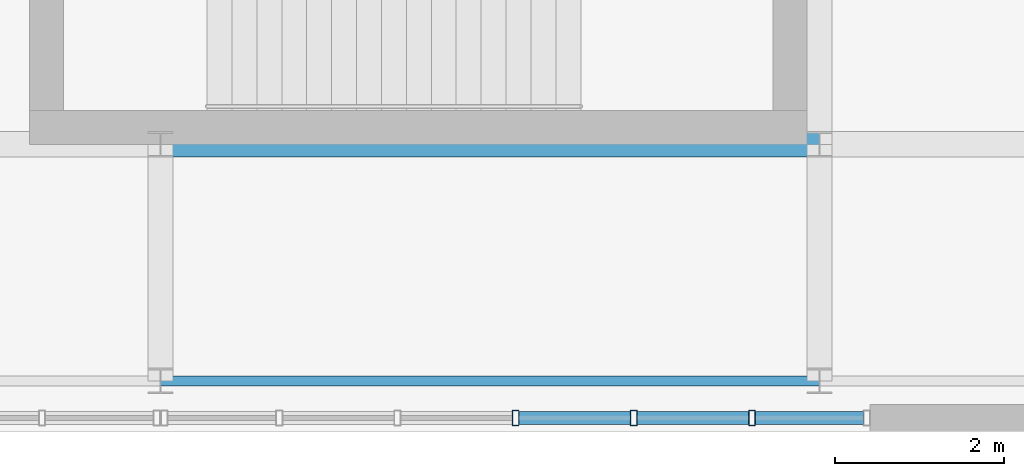
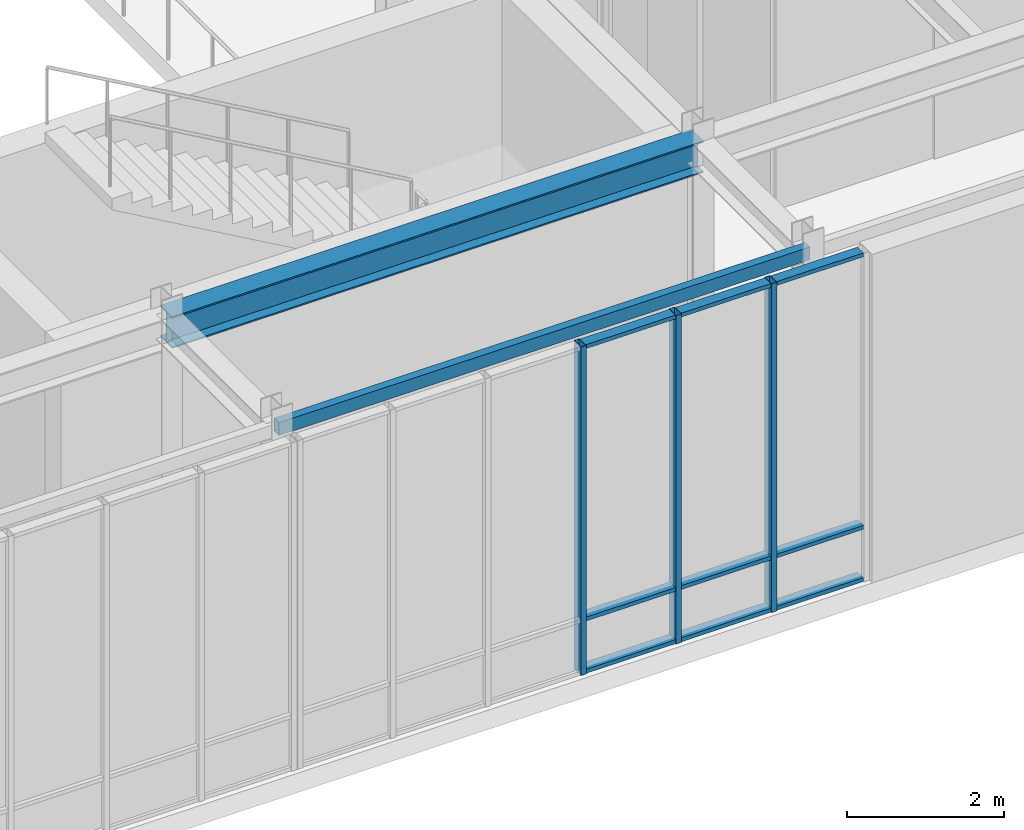
# One storey, part 79 of 139: 12 members, 2 beams, 1 element without a shape of its own.
"""IFC4 building model written with IfcOpenShell, lengths in metres."""

from ifc_helpers import new_model, si_unit, direction, frame, origin, origin_2d, place, context, subcontext, project, spatial, hollow_rectangle, i_section, extrude, material, layer, layer_set, material_profile, profile_set, type_object, element, aggregate, save


model = new_model("IFC4")

# Units and contexts
model_context = context("Model", 3, precision=1e-05, world=origin(), true_north=direction((0.0, 1.0)))
body_context = subcontext(model_context, "Body", "Model", "MODEL_VIEW")
ifc_project = project(units=[si_unit("LENGTHUNIT", "METRE"), si_unit("AREAUNIT", "SQUARE_METRE"), si_unit("VOLUMEUNIT", "CUBIC_METRE"), si_unit("PLANEANGLEUNIT", "RADIAN"), si_unit("MASSUNIT", "GRAM", prefix="KILO")], contexts=[model_context])

# Site, building, storey
site_placement = place(None, origin())
site = spatial("IfcSite", under=ifc_project, at=site_placement, CompositionType="ELEMENT")
building_placement = place(site_placement, origin())
building = spatial("IfcBuilding", under=site, at=building_placement, Name="Zayran Congress Hotel", CompositionType="ELEMENT")
storey_placement = place(building_placement, frame((0.0, 0.0, 5.39990234375)))
storey = spatial("IfcBuildingStorey", under=building, at=storey_placement, Name="L01", CompositionType="ELEMENT", Elevation=5.39990234375)

# Beams
ifc_material_1 = material(Name="Steel S355", Category="steel")
ifc_material_profile_1 = material_profile(ifc_material_1, i_section(OverallWidth=0.300048828125, OverallDepth=0.489990234375, WebThickness=0.011962890625, FlangeThickness=0.02294921875, at=origin_2d()), Name="HEA 500")
ifc_profile_set_1 = profile_set([ifc_material_profile_1], Name="Steel S355")
beam_type_1 = type_object("IfcBeamType", Name="TP-BM-05", PredefinedType="BEAM", material=ifc_profile_set_1)
beam_1_placement = place(storey_placement, frame((176.39990234375, 9.39990234375, 4.85498046875), z_axis=(1.0, 0.0, 0.0), x_axis=(0.0, 1.0, 0.0)))
element("IfcBeam", 1, at=beam_1_placement, inside=storey, type_object=beam_type_1, Name="BM-V3-L01-1119", PredefinedType="BEAM", context=body_context, shape_type="SweptSolid", body=[
    extrude(i_section(OverallWidth=0.300048828125, OverallDepth=0.489990234375, WebThickness=0.011962890625, FlangeThickness=0.02294921875, at=origin_2d()), origin(), (0.0, 0.0, 1.0), 7.800048828125),
])
ifc_material_profile_2 = material_profile(ifc_material_1, hollow_rectangle(XDim=0.1201171875, YDim=0.199951171875, WallThickness=0.008056640625, at=origin_2d()), Name="RHS 200x120x8")
ifc_profile_set_2 = profile_set([ifc_material_profile_2], Name="Steel S355")
beam_type_2 = type_object("IfcBeamType", Name="TP-SP-02", PredefinedType="SPANDREL", material=ifc_profile_set_2)
beam_2_placement = place(storey_placement, frame((176.39990234375, 6.60009765625, 5.0), z_axis=(1.0, 0.0, 0.0), x_axis=(0.0, 1.0, 0.0)))
element("IfcBeam", 2, at=beam_2_placement, inside=storey, type_object=beam_type_2, Name="BM-V3-L01-1114", PredefinedType="SPANDREL", context=body_context, shape_type="SweptSolid", body=[
    extrude(hollow_rectangle(XDim=0.1201171875, YDim=0.199951171875, WallThickness=0.008056640625, at=origin_2d()), origin(), (0.0, 0.0, 1.0), 7.800048828125),
])

# Curtain wall, members
ifc_material_2 = material(Name="Anodised aluminium and low-E insulated glass", Category="aluminium")
ifc_layer = layer(ifc_material_2, 0.179931640625)
ifc_layer_set = layer_set([ifc_layer], Name="Anodised aluminium and low-E insulated glass")
curtain_wall_type = type_object("IfcCurtainWallType", Name="CW-V3S-L01-CW-V32-8395-5100", PredefinedType="USERDEFINED", material=ifc_layer_set)
curtain_wall_placement = place(storey_placement, origin())
curtain_wall = element("IfcCurtainWall", 3, at=curtain_wall_placement, inside=storey, type_object=curtain_wall_type, Name="CW-V3S-L01-3", ObjectType="CURTAIN WALL", PredefinedType="USERDEFINED")
ifc_material_3 = material(Name="Anodised aluminium framing", Category="aluminium")
ifc_material_profile_3 = material_profile(ifc_material_3, hollow_rectangle(XDim=0.080078125, YDim=0.179931640625, WallThickness=0.0048828125, at=origin_2d()), Name="RHS 180x80x5")
ifc_profile_set_3 = profile_set([ifc_material_profile_3], Name="Anodised aluminium framing")
member_type_1 = type_object("IfcMemberType", Name="TP-CWM-01", PredefinedType="MULLION", material=ifc_profile_set_3)
member_1_placement = place(storey_placement, frame((180.6025390625, 6.159912109375, 0.0), z_axis=(0.0, 0.0, 1.0), x_axis=(1.0, 0.0, 0.0)))
member_1 = element("IfcMember", 4, at=member_1_placement, type_object=member_type_1, Name="CW-V3S-L01-3-M03", PredefinedType="MULLION", context=body_context, shape_type="SweptSolid", body=[
    extrude(hollow_rectangle(XDim=0.080078125, YDim=0.179931640625, WallThickness=0.0048828125, at=origin_2d()), origin(), (0.0, 0.0, 1.0), 5.10009765625),
])
member_2_placement = place(storey_placement, frame((182.001708984375, 6.159912109375, 0.0), z_axis=(0.0, 0.0, 1.0), x_axis=(1.0, 0.0, 0.0)))
member_2 = element("IfcMember", 5, at=member_2_placement, type_object=member_type_1, Name="CW-V3S-L01-3-M04", PredefinedType="MULLION", context=body_context, shape_type="SweptSolid", body=[
    extrude(hollow_rectangle(XDim=0.080078125, YDim=0.179931640625, WallThickness=0.0048828125, at=origin_2d()), origin(), (0.0, 0.0, 1.0), 5.10009765625),
])
member_3_placement = place(storey_placement, frame((183.40087890625, 6.159912109375, 0.0), z_axis=(0.0, 0.0, 1.0), x_axis=(1.0, 0.0, 0.0)))
member_3 = element("IfcMember", 6, at=member_3_placement, type_object=member_type_1, Name="CW-V3S-L01-3-M05", PredefinedType="MULLION", context=body_context, shape_type="SweptSolid", body=[
    extrude(hollow_rectangle(XDim=0.080078125, YDim=0.179931640625, WallThickness=0.0048828125, at=origin_2d()), origin(), (0.0, 0.0, 1.0), 5.10009765625),
])
ifc_material_profile_4 = material_profile(ifc_material_3, hollow_rectangle(XDim=0.06005859375, YDim=0.14990234375, WallThickness=0.00390625, at=origin_2d()), Name="RHS 150x60x4")
ifc_profile_set_4 = profile_set([ifc_material_profile_4], Name="Anodised aluminium framing")
member_type_2 = type_object("IfcMemberType", Name="TP-CWT-01", PredefinedType="USERDEFINED", material=ifc_profile_set_4)
member_4_placement = place(storey_placement, frame((180.642578125, 6.159912109375, 0.030029296875), z_axis=(1.0, 0.0, 0.0), x_axis=(0.0, 0.0, 1.0)))
member_4 = element("IfcMember", 7, at=member_4_placement, type_object=member_type_2, Name="CW-V3S-L01-3-T03-0", ObjectType="TRANSOM", PredefinedType="USERDEFINED", context=body_context, shape_type="SweptSolid", body=[
    extrude(hollow_rectangle(XDim=0.06005859375, YDim=0.14990234375, WallThickness=0.00390625, at=origin_2d()), origin(), (0.0, 0.0, 1.0), 1.319091796875),
])
member_5_placement = place(storey_placement, frame((180.642578125, 6.159912109375, 0.840087890625), z_axis=(1.0, 0.0, 0.0), x_axis=(0.0, 0.0, 1.0)))
member_5 = element("IfcMember", 8, at=member_5_placement, type_object=member_type_2, Name="CW-V3S-L01-3-T03-1", ObjectType="TRANSOM", PredefinedType="USERDEFINED", context=body_context, shape_type="SweptSolid", body=[
    extrude(hollow_rectangle(XDim=0.06005859375, YDim=0.14990234375, WallThickness=0.00390625, at=origin_2d()), origin(), (0.0, 0.0, 1.0), 1.319091796875),
])
member_6_placement = place(storey_placement, frame((180.642578125, 6.159912109375, 5.070068359375), z_axis=(1.0, 0.0, 0.0), x_axis=(0.0, 0.0, 1.0)))
member_6 = element("IfcMember", 9, at=member_6_placement, type_object=member_type_2, Name="CW-V3S-L01-3-T03-2", ObjectType="TRANSOM", PredefinedType="USERDEFINED", context=body_context, shape_type="SweptSolid", body=[
    extrude(hollow_rectangle(XDim=0.06005859375, YDim=0.14990234375, WallThickness=0.00390625, at=origin_2d()), origin(), (0.0, 0.0, 1.0), 1.319091796875),
])
member_7_placement = place(storey_placement, frame((182.041748046875, 6.159912109375, 0.030029296875), z_axis=(1.0, 0.0, 0.0), x_axis=(0.0, 0.0, 1.0)))
member_7 = element("IfcMember", 10, at=member_7_placement, type_object=member_type_2, Name="CW-V3S-L01-3-T04-0", ObjectType="TRANSOM", PredefinedType="USERDEFINED", context=body_context, shape_type="SweptSolid", body=[
    extrude(hollow_rectangle(XDim=0.06005859375, YDim=0.14990234375, WallThickness=0.00390625, at=origin_2d()), origin(), (0.0, 0.0, 1.0), 1.319091796875),
])
member_8_placement = place(storey_placement, frame((182.041748046875, 6.159912109375, 0.840087890625), z_axis=(1.0, 0.0, 0.0), x_axis=(0.0, 0.0, 1.0)))
member_8 = element("IfcMember", 11, at=member_8_placement, type_object=member_type_2, Name="CW-V3S-L01-3-T04-1", ObjectType="TRANSOM", PredefinedType="USERDEFINED", context=body_context, shape_type="SweptSolid", body=[
    extrude(hollow_rectangle(XDim=0.06005859375, YDim=0.14990234375, WallThickness=0.00390625, at=origin_2d()), origin(), (0.0, 0.0, 1.0), 1.319091796875),
])
member_9_placement = place(storey_placement, frame((182.041748046875, 6.159912109375, 5.070068359375), z_axis=(1.0, 0.0, 0.0), x_axis=(0.0, 0.0, 1.0)))
member_9 = element("IfcMember", 12, at=member_9_placement, type_object=member_type_2, Name="CW-V3S-L01-3-T04-2", ObjectType="TRANSOM", PredefinedType="USERDEFINED", context=body_context, shape_type="SweptSolid", body=[
    extrude(hollow_rectangle(XDim=0.06005859375, YDim=0.14990234375, WallThickness=0.00390625, at=origin_2d()), origin(), (0.0, 0.0, 1.0), 1.319091796875),
])
member_10_placement = place(storey_placement, frame((183.44091796875, 6.159912109375, 0.030029296875), z_axis=(1.0, 0.0, 0.0), x_axis=(0.0, 0.0, 1.0)))
member_10 = element("IfcMember", 13, at=member_10_placement, type_object=member_type_2, Name="CW-V3S-L01-3-T05-0", ObjectType="TRANSOM", PredefinedType="USERDEFINED", context=body_context, shape_type="SweptSolid", body=[
    extrude(hollow_rectangle(XDim=0.06005859375, YDim=0.14990234375, WallThickness=0.00390625, at=origin_2d()), origin(), (0.0, 0.0, 1.0), 1.279052734375),
])
member_11_placement = place(storey_placement, frame((183.44091796875, 6.159912109375, 0.840087890625), z_axis=(1.0, 0.0, 0.0), x_axis=(0.0, 0.0, 1.0)))
member_11 = element("IfcMember", 14, at=member_11_placement, type_object=member_type_2, Name="CW-V3S-L01-3-T05-1", ObjectType="TRANSOM", PredefinedType="USERDEFINED", context=body_context, shape_type="SweptSolid", body=[
    extrude(hollow_rectangle(XDim=0.06005859375, YDim=0.14990234375, WallThickness=0.00390625, at=origin_2d()), origin(), (0.0, 0.0, 1.0), 1.279052734375),
])
member_12_placement = place(storey_placement, frame((183.44091796875, 6.159912109375, 5.070068359375), z_axis=(1.0, 0.0, 0.0), x_axis=(0.0, 0.0, 1.0)))
member_12 = element("IfcMember", 15, at=member_12_placement, type_object=member_type_2, Name="CW-V3S-L01-3-T05-2", ObjectType="TRANSOM", PredefinedType="USERDEFINED", context=body_context, shape_type="SweptSolid", body=[
    extrude(hollow_rectangle(XDim=0.06005859375, YDim=0.14990234375, WallThickness=0.00390625, at=origin_2d()), origin(), (0.0, 0.0, 1.0), 1.279052734375),
])
aggregate(curtain_wall, [member_1, member_2, member_3, member_4, member_5, member_6, member_7, member_8, member_9, member_10, member_11, member_12])

save(model, "model.ifc")
